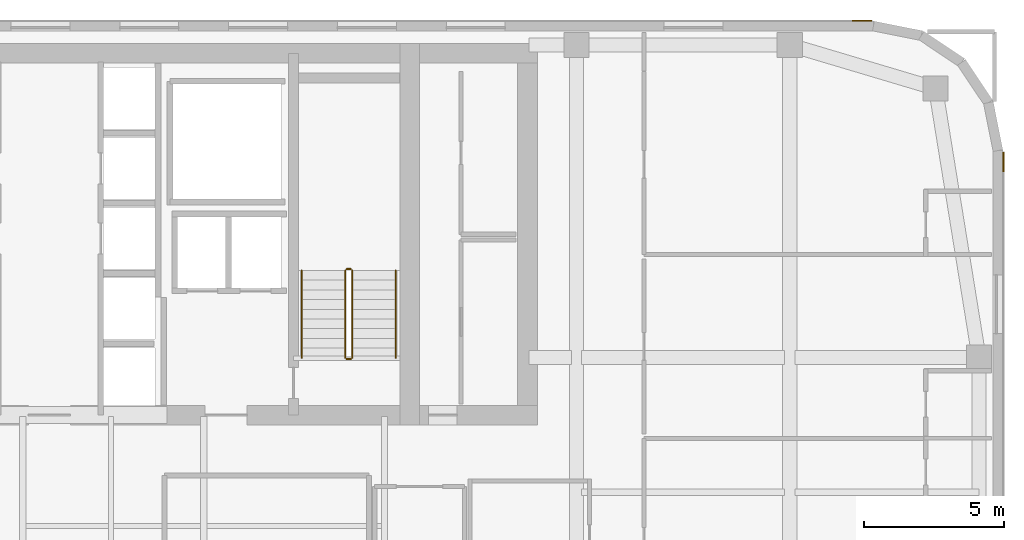
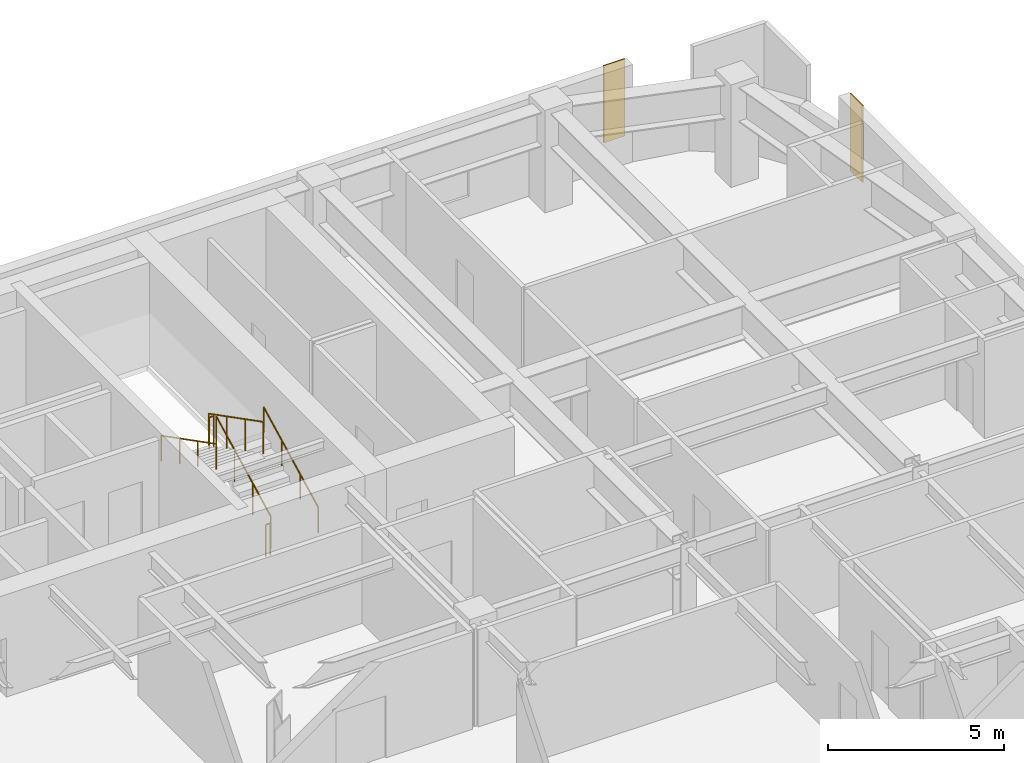
# One storey, part 24 of 24: 6 railings, 2 coverings.
"""IFC4 building model written with IfcOpenShell, lengths in metres."""

import ifcopenshell
import ifcopenshell.guid

model = None  # the IFC model being written
_history = None  # IfcOwnerHistory: only IFC2X3 demands one
_inside = {}  # id of a spatial element -> (the spatial element, [elements in it])
_under = {}  # id of a project, library or spatial element -> (it, [spatial elements below it])
_declared = {}  # id of a project -> (the project, [libraries it declares])
_typed = {}  # id of a type object -> (the type object, [elements of that type])
_made_of = {}  # id of a material, layer set ... -> (it, [elements and type objects made of it])


def new_model(schema):
    """Start an empty IFC model of exactly this schema.

    Asked for "IFC4X3", IfcOpenShell would pick the latest addendum, in which some entities
    have other attributes; the version numbers below select the first issue.
    IFC2X3 requires an IfcOwnerHistory on every rooted entity: one is made here for all.
    """
    global model, _history
    if schema == "IFC4X3":
        model = ifcopenshell.file(schema_version=(4, 3, 0, 0))
    else:
        model = ifcopenshell.file(schema=schema)
    _inside.clear()
    _under.clear()
    _declared.clear()
    _typed.clear()
    _made_of.clear()
    _history = None
    if model.schema == "IFC2X3":
        org = make("IfcOrganization", Name="unknown")
        user = make(
            "IfcPersonAndOrganization",
            ThePerson=make("IfcPerson", FamilyName="unknown"),
            TheOrganization=org,
        )
        app = make(
            "IfcApplication",
            ApplicationDeveloper=org,
            Version="unknown",
            ApplicationFullName="unknown",
            ApplicationIdentifier="unknown",
        )
        _history = make(
            "IfcOwnerHistory",
            OwningUser=user,
            OwningApplication=app,
            ChangeAction="ADDED",
            CreationDate=0,
        )
    return model


def make(cls, **values):
    """One entity of the class cls with the attributes given. An attribute that is None is left unset."""
    return model.create_entity(
        cls, **{name: value for name, value in values.items() if value is not None}
    )


def rooted(cls, **values):
    """An entity with a GlobalId (a new one), such as an element, a storey or a relation."""
    return make(cls, GlobalId=ifcopenshell.guid.new(), OwnerHistory=_history, **values)


def si_unit(unit_type, name, prefix=None):
    """IfcSIUnit, for example si_unit("LENGTHUNIT", "METRE", prefix="MILLI")."""
    return make("IfcSIUnit", UnitType=unit_type, Prefix=prefix, Name=name)


def assignment(units):
    """IfcUnitAssignment: the units of a project."""
    return None if units is None else make("IfcUnitAssignment", Units=units)


def point(xyz):
    """IfcCartesianPoint."""
    return None if xyz is None else make("IfcCartesianPoint", Coordinates=xyz)


def direction(xyz):
    """IfcDirection."""
    return None if xyz is None else make("IfcDirection", DirectionRatios=xyz)


def frame(location, z_axis=None, x_axis=None):
    """IfcAxis2Placement3D, a coordinate frame: its origin and axes. An axis left out is left unset."""
    return make(
        "IfcAxis2Placement3D",
        Location=point(location),
        Axis=direction(z_axis),
        RefDirection=direction(x_axis),
    )


def frame_2d(location, x_axis=None):
    """IfcAxis2Placement2D, a coordinate frame in the plane: its origin and x axis."""
    return make(
        "IfcAxis2Placement2D", Location=point(location), RefDirection=direction(x_axis)
    )


def origin():
    """The frame at (0, 0, 0) with its axes left unset."""
    return frame((0.0, 0.0, 0.0))


def origin_2d():
    """The frame at (0, 0) in the plane with its x axis left unset."""
    return frame_2d((0.0, 0.0))


def place(relative_to, where):
    """IfcLocalPlacement: puts the frame where relative to a parent placement (None: the world)."""
    return make(
        "IfcLocalPlacement", PlacementRelTo=relative_to, RelativePlacement=where
    )


def context(
    kind, dimensions, precision=None, world=None, true_north=None, identifier=None
):
    """IfcGeometricRepresentationContext, for example the 3D "Model" context."""
    return make(
        "IfcGeometricRepresentationContext",
        ContextIdentifier=identifier,
        ContextType=kind,
        CoordinateSpaceDimension=dimensions,
        Precision=precision,
        WorldCoordinateSystem=world,
        TrueNorth=true_north,
    )


def subcontext(parent, identifier, kind, view, scale=None):
    """IfcGeometricRepresentationSubContext, for example "Body" below "Model"."""
    return make(
        "IfcGeometricRepresentationSubContext",
        ContextIdentifier=identifier,
        ContextType=kind,
        ParentContext=parent,
        TargetScale=scale,
        TargetView=view,
    )


def project(units=None, contexts=None):
    """IfcProject with its units and contexts."""
    return rooted(
        "IfcProject",
        Name="project",
        RepresentationContexts=contexts,
        UnitsInContext=assignment(units),
    )


def spatial(cls, under=None, at=None, **own):
    """A site, building, storey or space (cls), placed at a placement, below another one or the project."""
    s = rooted(cls, ObjectPlacement=at, **own)
    if under is not None:
        _under.setdefault(under.id(), (under, []))[1].append(s)
    return s


def polyline(points):
    """IfcPolyline through the points."""
    return make("IfcPolyline", Points=[point(p) for p in points])


def profile(cls, at=None, kind="AREA", **sizes):
    """A parametric profile (cls). Its sizes go by their IFC names, for example OverallWidth=200.0."""
    return make(cls, ProfileType=kind, Position=at, **sizes)


def circle(**sizes):
    """IfcCircleProfileDef."""
    return profile("IfcCircleProfileDef", **sizes)


def outline(outer, holes=None, kind="AREA"):
    """IfcArbitraryClosedProfileDef: a profile drawn as a closed curve; with holes, ...WithVoids."""
    if holes is None:
        return make("IfcArbitraryClosedProfileDef", ProfileType=kind, OuterCurve=outer)
    return make(
        "IfcArbitraryProfileDefWithVoids",
        ProfileType=kind,
        OuterCurve=outer,
        InnerCurves=holes,
    )


def extrude(swept, where, along, depth):
    """IfcExtrudedAreaSolid: the profile swept, set in the frame where, extruded along a direction by depth."""
    return make(
        "IfcExtrudedAreaSolid",
        SweptArea=swept,
        Position=where,
        ExtrudedDirection=direction(along),
        Depth=depth,
    )


def shape(context_of_items, identifier, shape_type, items):
    """IfcShapeRepresentation: the items that make up one representation, for example the "Body"."""
    return make(
        "IfcShapeRepresentation",
        ContextOfItems=context_of_items,
        RepresentationIdentifier=identifier,
        RepresentationType=shape_type,
        Items=items,
    )


def material(Name=None, Category=None):
    """IfcMaterial."""
    return make("IfcMaterial", Name=Name, Category=Category)


def layer(
    of_material, thickness, ventilated=None, Name=None, Category=None, Priority=None
):
    """IfcMaterialLayer: one layer of a wall or slab, of a material (None: an air gap)."""
    return make(
        "IfcMaterialLayer",
        Material=of_material,
        LayerThickness=thickness,
        IsVentilated=ventilated,
        Name=Name,
        Category=Category,
        Priority=Priority,
    )


def layer_set(layers, Name=None):
    """IfcMaterialLayerSet."""
    return make("IfcMaterialLayerSet", MaterialLayers=layers, LayerSetName=Name)


def made_of(thing, what):
    """Note that an element or type object is made of a material, layer set ...; save() writes the relation."""
    if what is not None:
        _made_of.setdefault(what.id(), (what, []))[1].append(thing)
    return thing


def type_object(cls, material=None, **own):
    """A type object (cls), such as IfcWallType, which elements share."""
    return made_of(rooted(cls, **own), material)


def element(
    cls,
    number,
    at=None,
    inside=None,
    cuts=None,
    type_object=None,
    material=None,
    context=None,
    identifier="Body",
    shape_type=None,
    held_by="IfcProductDefinitionShape",
    body=None,
    shapes=None,
    **own,
):
    """One element of the class cls, such as IfcWall. Its Tag is "e" and its number.

    at: its placement. inside: the storey or other place that contains it. cuts: it is an
    opening in that element (IfcRelVoidsElement). A single representation is given by context,
    identifier, shape_type and body (its items); several are given by shapes. held_by: the class
    of the entity that holds the representations. save() writes the other relations.
    """
    e = rooted(cls, Tag="e%d" % number, ObjectPlacement=at, **own)
    if body is not None:
        shapes = [shape(context, identifier, shape_type, body)]
    if shapes is not None:
        e.Representation = make(held_by, Representations=shapes)
    if inside is not None:
        _inside.setdefault(inside.id(), (inside, []))[1].append(e)
    if cuts is not None:
        rooted(
            "IfcRelVoidsElement", RelatingBuildingElement=cuts, RelatedOpeningElement=e
        )
    if type_object is not None:
        _typed.setdefault(type_object.id(), (type_object, []))[1].append(e)
    return made_of(e, material)


def aggregate(whole, parts):
    """IfcRelAggregates: a whole, such as a stair, and the parts it consists of."""
    return rooted("IfcRelAggregates", RelatingObject=whole, RelatedObjects=parts)


def save(model, path):
    """Write the relations noted so far, then the file.

    IfcRelAggregates (storeys below a building ...), IfcRelContainedInSpatialStructure (elements
    in a storey), IfcRelDefinesByType, IfcRelAssociatesMaterial and IfcRelDeclares: one each for
    every whole, place, type object, material and project.
    """
    for whole, parts in _under.values():
        aggregate(whole, parts)
    for where, things in _inside.values():
        rooted(
            "IfcRelContainedInSpatialStructure",
            RelatedElements=things,
            RelatingStructure=where,
        )
    for kind, things in _typed.values():
        rooted("IfcRelDefinesByType", RelatedObjects=things, RelatingType=kind)
    for what, things in _made_of.values():
        rooted("IfcRelAssociatesMaterial", RelatedObjects=things, RelatingMaterial=what)
    for by, libraries in _declared.values():
        rooted("IfcRelDeclares", RelatingContext=by, RelatedDefinitions=libraries)
    model.write(path)


model = new_model("IFC4")

# Units and contexts
model_context = context("Model", 3, precision=1e-05, world=origin(), true_north=direction((0.0, 1.0)))
body_context = subcontext(model_context, "Body", "Model", "MODEL_VIEW")
ifc_project = project(units=[si_unit("LENGTHUNIT", "METRE"), si_unit("AREAUNIT", "SQUARE_METRE"), si_unit("VOLUMEUNIT", "CUBIC_METRE"), si_unit("PLANEANGLEUNIT", "RADIAN"), si_unit("MASSUNIT", "GRAM", prefix="KILO")], contexts=[model_context])

# Site, building, storey
site_placement = place(None, origin())
site = spatial("IfcSite", under=ifc_project, at=site_placement, CompositionType="ELEMENT")
building_placement = place(site_placement, origin())
building = spatial("IfcBuilding", under=site, at=building_placement, Name="Tolvann Quenvar Hotel", CompositionType="ELEMENT")
storey_placement = place(building_placement, frame((0.0, 0.0, 139.949951171875)))
storey = spatial("IfcBuildingStorey", under=building, at=storey_placement, Name="L36", CompositionType="ELEMENT", Elevation=139.949951171875)

# Coverings
ifc_material_1 = material(Name="Kiln-fired red architectural face brick cladding", Category="masonry")
ifc_layer = layer(ifc_material_1, 0.0400390625)
ifc_layer_set = layer_set([ifc_layer], Name="Kiln-fired red architectural face brick cladding")
covering_type = type_object("IfcCoveringType", Name="COV_CLAD_BRICK_40", PredefinedType="CLADDING", material=ifc_layer_set)
covering_1_placement = place(storey_placement, frame((0.0, 0.0, 0.699951171875)))
element("IfcCovering", 1, at=covering_1_placement, inside=storey, type_object=covering_type, Name="Brick Pier Cladding (L36-E13-P2)", PredefinedType="CLADDING", context=body_context, shape_type="SweptSolid", body=[
    extrude(outline(polyline([(57.0, 40.6328125), (57.0, 41.332763671875), (57.0400390625, 41.332763671875), (57.0400390625, 40.6328125), (57.0, 40.6328125)])), origin(), (0.0, 0.0, 1.0), 2.670166015625),
])
covering_2_placement = place(storey_placement, frame((0.0, 0.0, 0.699951171875)))
element("IfcCovering", 2, at=covering_2_placement, inside=storey, type_object=covering_type, Name="Brick Pier Cladding (L36-E18-P1)", PredefinedType="CLADDING", context=body_context, shape_type="SweptSolid", body=[
    extrude(outline(polyline([(52.332763671875, 46.0), (51.6328125, 46.0), (51.6328125, 46.0400390625), (52.332763671875, 46.0400390625), (52.332763671875, 46.0)])), origin(), (0.0, 0.0, 1.0), 2.670166015625),
])

# Railings
ifc_material_2 = material(Name="Brushed 316 stainless steel balustrade and handrail", Category="steel")
railing_type_1 = type_object("IfcRailingType", Name="GUARDRAIL", PredefinedType="GUARDRAIL", material=ifc_material_2)
railing_1_placement = place(storey_placement, frame((33.800048828125, 34.0, 0.177490234375)))
element("IfcRailing", 3, at=railing_1_placement, inside=storey, type_object=railing_type_1, Name="L36 ST-C2 stair guard 1", PredefinedType="GUARDRAIL", context=body_context, shape_type="SweptSolid", body=[
    extrude(circle(Radius=0.02392578125, at=origin_2d()), frame((0.0, 0.0, 1.09619140625), z_axis=(0.0, 0.88919353882, 0.457531256332), x_axis=(-1.0, 0.0, 0.0)), (0.0, 0.0, 1.0), 3.491943359375),
    extrude(circle(Radius=0.02099609375, at=origin_2d()), origin(), (0.0, 0.0, 1.0), 1.072021484375),
    extrude(circle(Radius=0.02099609375, at=origin_2d()), frame((0.0, 1.034912109375, 0.532470703125)), (0.0, 0.0, 1.0), 1.072021484375),
    extrude(circle(Radius=0.02099609375, at=origin_2d()), frame((0.0, 2.070068359375, 1.065185546875)), (0.0, 0.0, 1.0), 1.072021484375),
    extrude(circle(Radius=0.02099609375, at=origin_2d()), frame((0.0, 3.10498046875, 1.59765625)), (0.0, 0.0, 1.0), 1.072021484375),
])
railing_2_placement = place(storey_placement, frame((33.75, 37.155029296875, 1.775146484375)))
element("IfcRailing", 4, at=railing_2_placement, inside=storey, type_object=railing_type_1, Name="L36 ST-C2 stair guard 2", PredefinedType="GUARDRAIL", context=body_context, shape_type="SweptSolid", body=[
    extrude(circle(Radius=0.02392578125, at=origin_2d()), frame((0.0, 0.0, 1.09619140625), z_axis=(-1.0, 0.0, 0.0), x_axis=(0.0, -1.0, 0.0)), (0.0, 0.0, 1.0), 0.14990234375),
    extrude(circle(Radius=0.02099609375, at=origin_2d()), origin(), (0.0, 0.0, 1.0), 1.072021484375),
    extrude(circle(Radius=0.02099609375, at=origin_2d()), frame((-0.14990234375, 0.0, 0.0)), (0.0, 0.0, 1.0), 1.072021484375),
])
railing_3_placement = place(storey_placement, frame((33.550048828125, 37.10498046875, 1.95263671875)))
element("IfcRailing", 5, at=railing_3_placement, inside=storey, type_object=railing_type_1, Name="L36 ST-C2 stair guard 3", PredefinedType="GUARDRAIL", context=body_context, shape_type="SweptSolid", body=[
    extrude(circle(Radius=0.02392578125, at=origin_2d()), frame((0.0, 0.0, 1.09619140625), z_axis=(0.0, -0.889221982265, 0.45747597342), x_axis=(1.0, 0.0, 0.0)), (0.0, 0.0, 1.0), 3.49169921875),
    extrude(circle(Radius=0.02099609375, at=origin_2d()), origin(), (0.0, 0.0, 1.0), 1.072021484375),
    extrude(circle(Radius=0.02099609375, at=origin_2d()), frame((0.0, -1.034912109375, 0.532470703125)), (0.0, 0.0, 1.0), 1.072021484375),
    extrude(circle(Radius=0.02099609375, at=origin_2d()), frame((0.0, -2.070068359375, 1.06494140625)), (0.0, 0.0, 1.0), 1.072021484375),
    extrude(circle(Radius=0.02099609375, at=origin_2d()), frame((0.0, -3.10498046875, 1.597412109375)), (0.0, 0.0, 1.0), 1.072021484375),
])
railing_4_placement = place(storey_placement, frame((33.75, 33.949951171875, 0.0)))
element("IfcRailing", 6, at=railing_4_placement, inside=storey, type_object=railing_type_1, Name="L36 ST-C2 stair guard 4", PredefinedType="GUARDRAIL", context=body_context, shape_type="SweptSolid", body=[
    extrude(circle(Radius=0.02392578125, at=origin_2d()), frame((0.0, 0.0, 1.09619140625), z_axis=(-1.0, 0.0, 0.0), x_axis=(0.0, -1.0, 0.0)), (0.0, 0.0, 1.0), 0.14990234375),
    extrude(circle(Radius=0.02099609375, at=origin_2d()), origin(), (0.0, 0.0, 1.0), 1.072021484375),
    extrude(circle(Radius=0.02099609375, at=origin_2d()), frame((-0.14990234375, 0.0, 0.0)), (0.0, 0.0, 1.0), 1.072021484375),
])
railing_type_2 = type_object("IfcRailingType", Name="HANDRAIL", PredefinedType="HANDRAIL", material=ifc_material_2)
railing_5_placement = place(storey_placement, frame((35.35009765625, 34.0, 0.177490234375)))
element("IfcRailing", 7, at=railing_5_placement, inside=storey, type_object=railing_type_2, Name="L36 ST-C2 stair handrail 1", PredefinedType="HANDRAIL", context=body_context, shape_type="SweptSolid", body=[
    extrude(circle(Radius=0.02392578125, at=origin_2d()), frame((0.0, 0.0, 0.8759765625), z_axis=(0.0, 0.88919353882, 0.457531256332), x_axis=(-1.0, 0.0, 0.0)), (0.0, 0.0, 1.0), 3.491943359375),
    extrude(circle(Radius=0.02099609375, at=origin_2d()), origin(), (0.0, 0.0, 1.0), 0.851806640625),
    extrude(circle(Radius=0.02099609375, at=origin_2d()), frame((0.0, 1.034912109375, 0.532470703125)), (0.0, 0.0, 1.0), 0.851806640625),
    extrude(circle(Radius=0.02099609375, at=origin_2d()), frame((0.0, 2.070068359375, 1.065185546875)), (0.0, 0.0, 1.0), 0.851806640625),
    extrude(circle(Radius=0.02099609375, at=origin_2d()), frame((0.0, 3.10498046875, 1.59765625)), (0.0, 0.0, 1.0), 0.851806640625),
])
railing_6_placement = place(storey_placement, frame((32.0, 37.10498046875, 1.95263671875)))
element("IfcRailing", 8, at=railing_6_placement, inside=storey, type_object=railing_type_2, Name="L36 ST-C2 stair handrail 2", PredefinedType="HANDRAIL", context=body_context, shape_type="SweptSolid", body=[
    extrude(circle(Radius=0.02392578125, at=origin_2d()), frame((0.0, 0.0, 0.8759765625), z_axis=(0.0, -0.889221982265, 0.45747597342), x_axis=(1.0, 0.0, 0.0)), (0.0, 0.0, 1.0), 3.49169921875),
    extrude(circle(Radius=0.02099609375, at=origin_2d()), origin(), (0.0, 0.0, 1.0), 0.851806640625),
    extrude(circle(Radius=0.02099609375, at=origin_2d()), frame((0.0, -1.034912109375, 0.532470703125)), (0.0, 0.0, 1.0), 0.851806640625),
    extrude(circle(Radius=0.02099609375, at=origin_2d()), frame((0.0, -2.070068359375, 1.06494140625)), (0.0, 0.0, 1.0), 0.851806640625),
    extrude(circle(Radius=0.02099609375, at=origin_2d()), frame((0.0, -3.10498046875, 1.597412109375)), (0.0, 0.0, 1.0), 0.851806640625),
])

save(model, "model.ifc")
